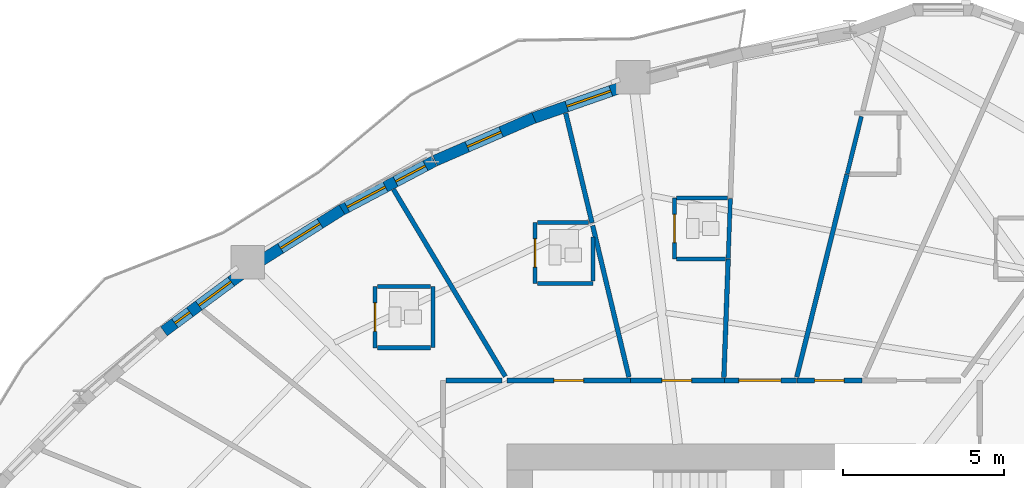
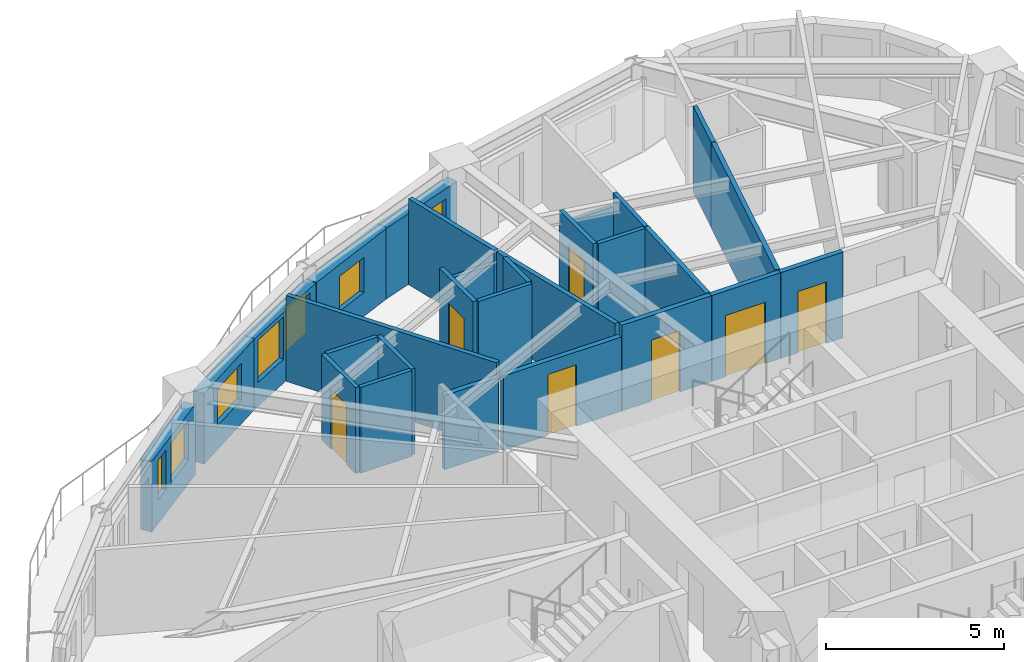
# One storey, part 9 of 16: 28 walls, 7 doors, 7 windows, 14 openings.
"""IFC4 building model written with IfcOpenShell, lengths in metres."""

from ifc_helpers import new_model, si_unit, direction, frame, frame_2d, origin, place, context, subcontext, project, spatial, rectangle, extrude, source, transform, mapped, material, layer, layer_set, type_object, element, fill, save


model = new_model("IFC4")

# Units and contexts
model_context = context("Model", 3, precision=1e-05, world=origin(), true_north=direction((0.0, 1.0)))
body_context = subcontext(model_context, "Body", "Model", "MODEL_VIEW")
ifc_project = project(units=[si_unit("LENGTHUNIT", "METRE"), si_unit("AREAUNIT", "SQUARE_METRE"), si_unit("VOLUMEUNIT", "CUBIC_METRE"), si_unit("PLANEANGLEUNIT", "RADIAN"), si_unit("MASSUNIT", "GRAM", prefix="KILO")], contexts=[model_context])

# Site, building, storey
site_placement = place(None, origin())
site = spatial("IfcSite", under=ifc_project, at=site_placement, CompositionType="ELEMENT")
building_placement = place(site_placement, origin())
building = spatial("IfcBuilding", under=site, at=building_placement, Name="Qafzar Sky-Pleat Residences", CompositionType="ELEMENT")
storey_placement = place(building_placement, frame((0.0, 0.0, 33.39990234375)))
storey = spatial("IfcBuildingStorey", under=building, at=storey_placement, Name="L09", CompositionType="ELEMENT", Elevation=33.39990234375)

# Wall, opening, door
ifc_material_1 = material(Name="Acoustic gypsum plasterboard partition", Category="gypsum")
ifc_layer_1 = layer(ifc_material_1, 0.159912109375)
ifc_layer_set_1 = layer_set([ifc_layer_1], Name="Acoustic gypsum plasterboard partition")
wall_type_1 = type_object("IfcWallType", Name="PART-COR-160", PredefinedType="PARTITIONING", material=ifc_layer_set_1)
wall_1_placement = place(storey_placement, frame((24.009033203125, 36.580078125, 0.0), z_axis=(0.0, 0.0, 1.0), x_axis=(1.0, 0.0, 0.0)))
wall_1 = element("IfcWall", 1, at=wall_1_placement, inside=storey, type_object=wall_type_1, Name="L09 Partition Wall PART-L09-PW-008", PredefinedType="PARTITIONING", context=body_context, shape_type="SweptSolid", body=[
    extrude(rectangle(XDim=3.822021484375, YDim=0.159912109375, at=frame_2d((1.9111328125, 0.0))), origin(), (0.0, 0.0, 1.0), 2.548095703125),
])
opening_1_placement = place(wall_1_placement, frame((1.451904296875, 0.0, 0.0)))
opening_1 = element("IfcOpeningElement", 2, at=opening_1_placement, cuts=wall_1, Name="Opening ID-04", PredefinedType="OPENING", context=body_context, shape_type="SweptSolid", body=[
    extrude(rectangle(XDim=0.919921875, YDim=2.10009765625, at=frame_2d((0.4599609375, 1.050048828125))), frame((0.0, 0.08984375, 0.0), z_axis=(0.0, -1.0, 0.0), x_axis=(1.0, 0.0, 0.0)), (0.0, 0.0, 1.0), 0.179931640625),
])
ifc_material_2 = material(Name="Timber-faced fire door", Category="wood")
door_type_1 = type_object("IfcDoorType", Name="DR-BED-920", OperationType="NOTDEFINED", PredefinedType="DOOR", material=ifc_material_2)
shared_shape_1 = source(origin(), body_context, "Body", "SweptSolid", [
    extrude(rectangle(XDim=0.919921875, YDim=2.10009765625, at=frame_2d((0.4599609375, 1.050048828125))), frame((0.0, 0.02490234375, 0.0), z_axis=(0.0, -1.0, 0.0), x_axis=(1.0, 0.0, 0.0)), (0.0, 0.0, 1.0), 0.050048828125),
])
door_1_placement = place(opening_1_placement, origin())
door_1 = element("IfcDoor", 3, at=door_1_placement, inside=storey, type_object=door_type_1, Name="L09 Co-Living Bedroom 2 Door", OperationType="SINGLE_SWING_LEFT", OverallHeight=2.10009765625, OverallWidth=0.919921875, PredefinedType="DOOR", context=body_context, shape_type="MappedRepresentation", body=[
    mapped(shared_shape_1, transform((0.0, 0.0, 0.0), x_axis=(1.0, 0.0, 0.0), y_axis=(0.0, 1.0, 0.0), z_axis=(0.0, 0.0, 1.0), scale=1.0)),
])
fill(opening_1, door_1)

wall_2_placement = place(storey_placement, frame((27.845947265625, 36.580078125, 0.0), z_axis=(0.0, 0.0, 1.0), x_axis=(1.0, 0.0, 0.0)))
wall_2 = element("IfcWall", 4, at=wall_2_placement, inside=storey, type_object=wall_type_1, Name="L09 Partition Wall PART-L09-PW-014", PredefinedType="PARTITIONING", context=body_context, shape_type="SweptSolid", body=[
    extrude(rectangle(XDim=2.903076171875, YDim=0.159912109375, at=frame_2d((1.45166015625, 0.0))), origin(), (0.0, 0.0, 1.0), 2.940185546875),
])
opening_2_placement = place(wall_2_placement, frame((0.968994140625, 0.0, 0.0)))
opening_2 = element("IfcOpeningElement", 5, at=opening_2_placement, cuts=wall_2, Name="Opening ID-04", PredefinedType="OPENING", context=body_context, shape_type="SweptSolid", body=[
    extrude(rectangle(XDim=0.919921875, YDim=2.10009765625, at=frame_2d((0.4599609375, 1.050048828125))), frame((0.0, 0.08984375, 0.0), z_axis=(0.0, -1.0, 0.0), x_axis=(1.0, 0.0, 0.0)), (0.0, 0.0, 1.0), 0.179931640625),
])
door_2_placement = place(opening_2_placement, origin())
door_2 = element("IfcDoor", 6, at=door_2_placement, inside=storey, type_object=door_type_1, Name="L09 Co-Living Bedroom 1 Door", OperationType="SINGLE_SWING_RIGHT", OverallHeight=2.10009765625, OverallWidth=0.919921875, PredefinedType="DOOR", context=body_context, shape_type="MappedRepresentation", body=[
    mapped(shared_shape_1, transform((0.0, 0.0, 0.0), x_axis=(1.0, 0.0, 0.0), y_axis=(0.0, 1.0, 0.0), z_axis=(0.0, 0.0, 1.0), scale=1.0)),
])
fill(opening_2, door_2)

wall_3_placement = place(storey_placement, frame((30.763916015625, 36.580078125, 0.0), z_axis=(0.0, 0.0, 1.0), x_axis=(1.0, 0.0, 0.0)))
wall_3 = element("IfcWall", 7, at=wall_3_placement, inside=storey, type_object=wall_type_1, Name="L09 Partition Wall PART-L09-PW-017", PredefinedType="PARTITIONING", context=body_context, shape_type="SweptSolid", body=[
    extrude(rectangle(XDim=2.22509765625, YDim=0.159912109375, at=frame_2d((1.112548828125, 0.0))), origin(), (0.0, 0.0, 1.0), 2.940185546875),
])
opening_3_placement = place(wall_3_placement, frame((0.43994140625, 0.0, 0.0)))
opening_3 = element("IfcOpeningElement", 8, at=opening_3_placement, cuts=wall_3, Name="Opening ID-05", PredefinedType="OPENING", context=body_context, shape_type="SweptSolid", body=[
    extrude(rectangle(XDim=1.300048828125, YDim=2.10009765625, at=frame_2d((0.64990234375, 1.050048828125))), frame((0.0, 0.08984375, 0.0), z_axis=(0.0, -1.0, 0.0), x_axis=(1.0, 0.0, 0.0)), (0.0, 0.0, 1.0), 0.179931640625),
])
door_type_2 = type_object("IfcDoorType", Name="DR-LNG-1300", OperationType="DOUBLE_DOOR_SINGLE_SWING", PredefinedType="DOOR", material=ifc_material_2)
shared_shape_2 = source(origin(), body_context, "Body", "SweptSolid", [
    extrude(rectangle(XDim=1.300048828125, YDim=2.10009765625, at=frame_2d((0.64990234375, 1.050048828125))), frame((0.0, 0.02490234375, 0.0), z_axis=(0.0, -1.0, 0.0), x_axis=(1.0, 0.0, 0.0)), (0.0, 0.0, 1.0), 0.050048828125),
])
door_3_placement = place(opening_3_placement, origin())
door_3 = element("IfcDoor", 9, at=door_3_placement, inside=storey, type_object=door_type_2, Name="L09 Communal Kitchen Door", OperationType="DOUBLE_DOOR_SINGLE_SWING", OverallHeight=2.10009765625, OverallWidth=1.300048828125, PredefinedType="DOOR", context=body_context, shape_type="MappedRepresentation", body=[
    mapped(shared_shape_2, transform((0.0, 0.0, 0.0), x_axis=(1.0, 0.0, 0.0), y_axis=(0.0, 1.0, 0.0), z_axis=(0.0, 0.0, 1.0), scale=1.0)),
])
fill(opening_3, door_3)

wall_4_placement = place(storey_placement, frame((33.00390625, 36.580078125, 0.0), z_axis=(0.0, 0.0, 1.0), x_axis=(1.0, 0.0, 0.0)))
wall_4 = element("IfcWall", 10, at=wall_4_placement, inside=storey, type_object=wall_type_1, Name="L09 Partition Wall PART-L09-PW-018", PredefinedType="PARTITIONING", context=body_context, shape_type="SweptSolid", body=[
    extrude(rectangle(XDim=2.01708984375, YDim=0.159912109375, at=frame_2d((1.008544921875, 0.0))), origin(), (0.0, 0.0, 1.0), 2.940185546875),
])
opening_4_placement = place(wall_4_placement, frame((0.549072265625, 0.0, 0.0)))
opening_4 = element("IfcOpeningElement", 11, at=opening_4_placement, cuts=wall_4, Name="Opening ID-04", PredefinedType="OPENING", context=body_context, shape_type="SweptSolid", body=[
    extrude(rectangle(XDim=0.919921875, YDim=2.10009765625, at=frame_2d((0.4599609375, 1.050048828125))), frame((0.0, 0.08984375, 0.0), z_axis=(0.0, -1.0, 0.0), x_axis=(1.0, 0.0, 0.0)), (0.0, 0.0, 1.0), 0.179931640625),
])
door_4_placement = place(opening_4_placement, origin())
door_4 = element("IfcDoor", 12, at=door_4_placement, inside=storey, type_object=door_type_1, Name="L09 Co-Living Bedroom 12 Door", OperationType="SINGLE_SWING_RIGHT", OverallHeight=2.10009765625, OverallWidth=0.919921875, PredefinedType="DOOR", context=body_context, shape_type="MappedRepresentation", body=[
    mapped(shared_shape_1, transform((0.0, 0.0, 0.0), x_axis=(1.0, 0.0, 0.0), y_axis=(0.0, 1.0, 0.0), z_axis=(0.0, 0.0, 1.0), scale=1.0)),
])
fill(opening_4, door_4)

# Walls
wall_5_placement = place(storey_placement, frame((22.10791015625, 36.580078125, 0.0), z_axis=(0.0, 0.0, 1.0), x_axis=(1.0, 0.0, 0.0)))
element("IfcWall", 13, at=wall_5_placement, inside=storey, type_object=wall_type_1, Name="L09 Partition Wall PART-L09-PW-060", PredefinedType="PARTITIONING", context=body_context, shape_type="SweptSolid", body=[
    extrude(rectangle(XDim=1.745849609375, YDim=0.159912109375, at=frame_2d((0.873046875, 0.0))), origin(), (0.0, 0.0, 1.0), 2.548095703125),
])
ifc_layer_2 = layer(ifc_material_1, 0.14501953125)
ifc_layer_set_2 = layer_set([ifc_layer_2], Name="Acoustic gypsum plasterboard partition")
wall_type_2 = type_object("IfcWallType", Name="PART-UNIT-145", PredefinedType="PARTITIONING", material=ifc_layer_set_2)
wall_6_placement = place(storey_placement, frame((20.481201171875, 42.510498046875, 0.0), z_axis=(0.0, 0.0, 1.0), x_axis=(0.513067331262, -0.858348363773, 0.0)))
element("IfcWall", 14, at=wall_6_placement, inside=storey, type_object=wall_type_2, Name="L09 Partition Wall PART-L09-PW-046", PredefinedType="PARTITIONING", context=body_context, shape_type="SweptSolid", body=[
    extrude(rectangle(XDim=6.7646484375, YDim=0.14501953125, at=frame_2d((3.38232421875, 0.0))), origin(), (0.0, 0.0, 1.0), 2.940185546875),
])
wall_7_placement = place(storey_placement, frame((33.0, 36.685302734375, 0.0), z_axis=(0.0, 0.0, 1.0), x_axis=(0.240736846637, 0.970590423748, 0.0)))
element("IfcWall", 15, at=wall_7_placement, inside=storey, type_object=wall_type_2, Name="L09 Partition Wall PART-L09-PW-047", PredefinedType="PARTITIONING", context=body_context, shape_type="SweptSolid", body=[
    extrude(rectangle(XDim=6.484375, YDim=0.14501953125, at=frame_2d((3.2421875, 0.0))), origin(), (0.0, 0.0, 1.0), 2.940185546875),
])
wall_8_placement = place(storey_placement, frame((26.6640625, 41.387939453125, 0.0), z_axis=(0.0, 0.0, 1.0), x_axis=(0.233021630241, -0.972471552201, 0.0)))
element("IfcWall", 16, at=wall_8_placement, inside=storey, type_object=wall_type_2, Name="L09 Partition Wall PART-L09-PW-051", PredefinedType="PARTITIONING", context=body_context, shape_type="SweptSolid", body=[
    extrude(rectangle(XDim=4.836181640625, YDim=0.14501953125, at=frame_2d((2.41796875, 0.0))), origin(), (0.0, 0.0, 1.0), 2.940185546875),
])
wall_9_placement = place(storey_placement, frame((30.7373046875, 36.670654296875, 0.0), z_axis=(0.0, 0.0, 1.0), x_axis=(0.036368539535, 0.999338445839, 0.0)))
element("IfcWall", 17, at=wall_9_placement, inside=storey, type_object=wall_type_2, Name="L09 Partition Wall PART-L09-PW-054", PredefinedType="PARTITIONING", context=body_context, shape_type="SweptSolid", body=[
    extrude(rectangle(XDim=3.6787109375, YDim=0.14501953125, at=frame_2d((1.83935546875, 0.0))), origin(), (0.0, 0.0, 1.0), 2.940185546875),
])
wall_10_placement = place(storey_placement, frame((25.828857421875, 44.87548828125, 0.0), z_axis=(0.0, 0.0, 1.0), x_axis=(0.232921769711, -0.972495475154, 0.0)))
element("IfcWall", 18, at=wall_10_placement, inside=storey, type_object=wall_type_2, Name="L09 Partition Wall PART-L09-PW-055", PredefinedType="PARTITIONING", context=body_context, shape_type="SweptSolid", body=[
    extrude(rectangle(XDim=3.499755859375, YDim=0.14501953125, at=frame_2d((1.75, 0.0))), origin(), (0.0, 0.0, 1.0), 2.940185546875),
])

# Wall, opening, door
ifc_material_3 = material(Name="Moisture-resistant gypsum partition", Category="gypsum")
ifc_layer_3 = layer(ifc_material_3, 0.1298828125)
ifc_layer_set_3 = layer_set([ifc_layer_3], Name="Moisture-resistant gypsum partition")
wall_type_3 = type_object("IfcWallType", Name="PART-WET-130", PredefinedType="PARTITIONING", material=ifc_layer_set_3)
wall_11_placement = place(storey_placement, frame((29.200927734375, 42.2470703125, 0.0), z_axis=(0.0, 0.0, 1.0), x_axis=(0.0, -1.0, 0.0)))
wall_11 = element("IfcWall", 19, at=wall_11_placement, inside=storey, type_object=wall_type_3, Name="L09 Partition Wall PART-L09-PW-023", PredefinedType="PARTITIONING", context=body_context, shape_type="SweptSolid", body=[
    extrude(rectangle(XDim=1.900146484375, YDim=0.1298828125, at=frame_2d((0.9501953125, 0.0))), origin(), (0.0, 0.0, 1.0), 2.940185546875),
])
opening_5_placement = place(wall_11_placement, frame((0.510009765625, 0.0, 0.0)))
opening_5 = element("IfcOpeningElement", 20, at=opening_5_placement, cuts=wall_11, Name="Opening ID-07", PredefinedType="OPENING", context=body_context, shape_type="SweptSolid", body=[
    extrude(rectangle(XDim=0.8798828125, YDim=2.050048828125, at=frame_2d((0.43994140625, 1.02490234375))), frame((0.0, 0.074951171875, 0.0), z_axis=(0.0, -1.0, 0.0), x_axis=(1.0, 0.0, 0.0)), (0.0, 0.0, 1.0), 0.14990234375),
])
door_type_3 = type_object("IfcDoorType", Name="DR-WET-880", OperationType="NOTDEFINED", PredefinedType="DOOR", material=ifc_material_2)
shared_shape_3 = source(origin(), body_context, "Body", "SweptSolid", [
    extrude(rectangle(XDim=0.8798828125, YDim=2.050048828125, at=frame_2d((0.43994140625, 1.02490234375))), frame((0.0, 0.02490234375, 0.0), z_axis=(0.0, -1.0, 0.0), x_axis=(1.0, 0.0, 0.0)), (0.0, 0.0, 1.0), 0.050048828125),
])
door_5_placement = place(opening_5_placement, origin())
door_5 = element("IfcDoor", 21, at=door_5_placement, inside=storey, type_object=door_type_3, Name="L09 En-suite Bathroom 1 Door", OperationType="SINGLE_SWING_LEFT", OverallHeight=2.050048828125, OverallWidth=0.8798828125, PredefinedType="DOOR", context=body_context, shape_type="MappedRepresentation", body=[
    mapped(shared_shape_3, transform((0.0, 0.0, 0.0), x_axis=(1.0, 0.0, 0.0), y_axis=(0.0, 1.0, 0.0), z_axis=(0.0, 0.0, 1.0), scale=1.0)),
])
fill(opening_5, door_5)

wall_12_placement = place(storey_placement, frame((24.87890625, 41.487060546875, 0.0), z_axis=(0.0, 0.0, 1.0), x_axis=(0.0, -1.0, 0.0)))
wall_12 = element("IfcWall", 22, at=wall_12_placement, inside=storey, type_object=wall_type_3, Name="L09 Partition Wall PART-L09-PW-024", PredefinedType="PARTITIONING", context=body_context, shape_type="SweptSolid", body=[
    extrude(rectangle(XDim=1.900146484375, YDim=0.1298828125, at=frame_2d((0.9501953125, 0.0))), origin(), (0.0, 0.0, 1.0), 2.940185546875),
])
opening_6_placement = place(wall_12_placement, frame((0.510009765625, 0.0, 0.0)))
opening_6 = element("IfcOpeningElement", 23, at=opening_6_placement, cuts=wall_12, Name="Opening ID-07", PredefinedType="OPENING", context=body_context, shape_type="SweptSolid", body=[
    extrude(rectangle(XDim=0.8798828125, YDim=2.050048828125, at=frame_2d((0.43994140625, 1.02490234375))), frame((0.0, 0.074951171875, 0.0), z_axis=(0.0, -1.0, 0.0), x_axis=(1.0, 0.0, 0.0)), (0.0, 0.0, 1.0), 0.14990234375),
])
door_6_placement = place(opening_6_placement, origin())
door_6 = element("IfcDoor", 24, at=door_6_placement, inside=storey, type_object=door_type_3, Name="L09 En-suite Bathroom 2 Door", OperationType="SINGLE_SWING_RIGHT", OverallHeight=2.050048828125, OverallWidth=0.8798828125, PredefinedType="DOOR", context=body_context, shape_type="MappedRepresentation", body=[
    mapped(shared_shape_3, transform((0.0, 0.0, 0.0), x_axis=(1.0, 0.0, 0.0), y_axis=(0.0, 1.0, 0.0), z_axis=(0.0, 0.0, 1.0), scale=1.0)),
])
fill(opening_6, door_6)

wall_13_placement = place(storey_placement, frame((19.909912109375, 39.4951171875, 0.0), z_axis=(0.0, 0.0, 1.0), x_axis=(0.0, -1.0, 0.0)))
wall_13 = element("IfcWall", 25, at=wall_13_placement, inside=storey, type_object=wall_type_3, Name="L09 Partition Wall PART-L09-PW-025", PredefinedType="PARTITIONING", context=body_context, shape_type="SweptSolid", body=[
    extrude(rectangle(XDim=1.900146484375, YDim=0.1298828125, at=frame_2d((0.9501953125, 0.0))), origin(), (0.0, 0.0, 1.0), 2.940185546875),
])
opening_7_placement = place(wall_13_placement, frame((0.510009765625, 0.0, 0.0)))
opening_7 = element("IfcOpeningElement", 26, at=opening_7_placement, cuts=wall_13, Name="Opening ID-07", PredefinedType="OPENING", context=body_context, shape_type="SweptSolid", body=[
    extrude(rectangle(XDim=0.8798828125, YDim=2.050048828125, at=frame_2d((0.43994140625, 1.02490234375))), frame((0.0, 0.074951171875, 0.0), z_axis=(0.0, -1.0, 0.0), x_axis=(1.0, 0.0, 0.0)), (0.0, 0.0, 1.0), 0.14990234375),
])
door_7_placement = place(opening_7_placement, origin())
door_7 = element("IfcDoor", 27, at=door_7_placement, inside=storey, type_object=door_type_3, Name="L09 En-suite Bathroom 3 Door", OperationType="SINGLE_SWING_LEFT", OverallHeight=2.050048828125, OverallWidth=0.8798828125, PredefinedType="DOOR", context=body_context, shape_type="MappedRepresentation", body=[
    mapped(shared_shape_3, transform((0.0, 0.0, 0.0), x_axis=(1.0, 0.0, 0.0), y_axis=(0.0, 1.0, 0.0), z_axis=(0.0, 0.0, 1.0), scale=1.0)),
])
fill(opening_7, door_7)

# Walls
wall_14_placement = place(storey_placement, frame((34.564697265625, 42.99365234375, 0.0), z_axis=(0.0, 0.0, 1.0), x_axis=(0.240658084914, 0.970609955732, 0.0)))
element("IfcWall", 28, at=wall_14_placement, inside=storey, type_object=wall_type_3, Name="L09 Partition Wall PART-L09-PW-061", PredefinedType="PARTITIONING", context=body_context, shape_type="SweptSolid", body=[
    extrude(rectangle(XDim=1.836181640625, YDim=0.1298828125, at=frame_2d((0.91796875, 0.0))), origin(), (0.0, 0.0, 1.0), 2.940185546875),
])
wall_15_placement = place(storey_placement, frame((21.7099609375, 37.594970703125, 0.0), z_axis=(0.0, 0.0, 1.0), x_axis=(0.0, 1.0, 0.0)))
element("IfcWall", 29, at=wall_15_placement, inside=storey, type_object=wall_type_3, Name="L09 Partition Wall PART-L09-PW-063", PredefinedType="PARTITIONING", context=body_context, shape_type="SweptSolid", body=[
    extrude(rectangle(XDim=1.900146484375, YDim=0.1298828125, at=frame_2d((0.9501953125, 0.0))), origin(), (0.0, 0.0, 1.0), 2.940185546875),
])
wall_16_placement = place(storey_placement, frame((30.87158203125, 40.362060546875, 0.0), z_axis=(0.0, 0.0, 1.0), x_axis=(0.036273279858, 0.999341908042, 0.0)))
element("IfcWall", 30, at=wall_16_placement, inside=storey, type_object=wall_type_3, Name="L09 Partition Wall PART-L09-PW-066", PredefinedType="PARTITIONING", context=body_context, shape_type="SweptSolid", body=[
    extrude(rectangle(XDim=1.87109375, YDim=0.1298828125, at=frame_2d((0.935546875, 0.0))), origin(), (0.0, 0.0, 1.0), 2.940185546875),
])
for number, where, z_axis, x_axis, name in (
    (31, (19.98291015625, 39.4951171875, 0.0), (0.0, 0.0, 1.0), (1.0, 0.0, 0.0), "L09 Partition Wall PART-L09-PW-070"),
    (32, (19.98291015625, 37.594970703125, 0.0), (0.0, 0.0, 1.0), (1.0, 0.0, 0.0), "L09 Partition Wall PART-L09-PW-071"),
):
    element("IfcWall", number, at=place(storey_placement, frame(where, z_axis=z_axis, x_axis=x_axis)), inside=storey, type_object=wall_type_3, Name=name, PredefinedType="PARTITIONING", context=body_context, shape_type="SweptSolid", body=[
        extrude(rectangle(XDim=1.654052734375, YDim=0.1298828125, at=frame_2d((0.8271484375, 0.0))), origin(), (0.0, 0.0, 1.0), 2.940185546875),
    ])
wall_17_placement = place(storey_placement, frame((24.951904296875, 39.5869140625, 0.0), z_axis=(0.0, 0.0, 1.0), x_axis=(1.0, 0.0, 0.0)))
element("IfcWall", 33, at=wall_17_placement, inside=storey, type_object=wall_type_3, Name="L09 Partition Wall PART-L09-PW-074", PredefinedType="PARTITIONING", context=body_context, shape_type="SweptSolid", body=[
    extrude(rectangle(XDim=1.72705078125, YDim=0.1298828125, at=frame_2d((0.863525390625, 0.0))), origin(), (0.0, 0.0, 1.0), 2.940185546875),
])
wall_18_placement = place(storey_placement, frame((24.951904296875, 41.487060546875, 0.0), z_axis=(0.0, 0.0, 1.0), x_axis=(1.0, 0.0, 0.0)))
element("IfcWall", 34, at=wall_18_placement, inside=storey, type_object=wall_type_3, Name="L09 Partition Wall PART-L09-PW-081", PredefinedType="PARTITIONING", context=body_context, shape_type="SweptSolid", body=[
    extrude(rectangle(XDim=1.590087890625, YDim=0.1298828125, at=frame_2d((0.794921875, 0.0))), origin(), (0.0, 0.0, 1.0), 2.508056640625),
])
wall_19_placement = place(storey_placement, frame((29.27392578125, 42.2470703125, 0.0), z_axis=(0.0, 0.0, 1.0), x_axis=(1.0, 0.0, 0.0)))
element("IfcWall", 35, at=wall_19_placement, inside=storey, type_object=wall_type_3, Name="L09 Partition Wall PART-L09-PW-082", PredefinedType="PARTITIONING", context=body_context, shape_type="SweptSolid", body=[
    extrude(rectangle(XDim=1.583251953125, YDim=0.1298828125, at=frame_2d((0.79150390625, 0.0))), origin(), (0.0, 0.0, 1.0), 2.508056640625),
])
wall_20_placement = place(storey_placement, frame((26.678955078125, 39.659912109375, 0.0), z_axis=(0.0, 0.0, 1.0), x_axis=(0.0, 1.0, 0.0)))
element("IfcWall", 36, at=wall_20_placement, inside=storey, type_object=wall_type_3, Name="L09 Partition Wall PART-L09-PW-083", PredefinedType="PARTITIONING", context=body_context, shape_type="SweptSolid", body=[
    extrude(rectangle(XDim=1.380126953125, YDim=0.1298828125, at=frame_2d((0.68994140625, 0.0))), origin(), (0.0, 0.0, 1.0), 2.940185546875),
])
wall_21_placement = place(storey_placement, frame((29.27392578125, 40.346923828125, 0.0), z_axis=(0.0, 0.0, 1.0), x_axis=(1.0, 0.0, 0.0)))
element("IfcWall", 37, at=wall_21_placement, inside=storey, type_object=wall_type_3, Name="L09 Partition Wall PART-L09-PW-084", PredefinedType="PARTITIONING", context=body_context, shape_type="SweptSolid", body=[
    extrude(rectangle(XDim=1.51416015625, YDim=0.1298828125, at=frame_2d((0.757080078125, 0.0))), origin(), (0.0, 0.0, 1.0), 2.940185546875),
])

# Wall, opening, window
ifc_material_4 = material(Name="Precast concrete C40/50 with honed Riyadh limestone", Category="concrete")
ifc_layer_4 = layer(ifc_material_4, 0.35009765625)
ifc_layer_set_4 = layer_set([ifc_layer_4], Name="Precast concrete C40/50 with honed Riyadh limestone")
wall_type_4 = type_object("IfcWallType", Name="WALL-EXT-350", PredefinedType="SOLIDWALL", material=ifc_layer_set_4)
wall_22_placement = place(storey_placement, frame((27.687255859375, 45.725830078125, 0.0), z_axis=(0.0, 0.0, 1.0), x_axis=(-0.9441205041, -0.329600475936, 0.0)))
wall_22 = element("IfcWall", 38, at=wall_22_placement, inside=storey, type_object=wall_type_4, Name="L09 Limestone Facade Wall 41", PredefinedType="SOLIDWALL", context=body_context, shape_type="SweptSolid", body=[
    extrude(rectangle(XDim=3.103515625, YDim=0.35009765625, at=frame_2d((1.5517578125, 0.0))), origin(), (0.0, 0.0, 1.0), 2.420166015625),
])
opening_8_placement = place(wall_22_placement, frame((0.486083984375, 0.0, 0.820068359375)))
opening_8 = element("IfcOpeningElement", 39, at=opening_8_placement, cuts=wall_22, Name="Opening WN-15", PredefinedType="OPENING", context=body_context, shape_type="SweptSolid", body=[
    extrude(rectangle(XDim=1.449951171875, YDim=1.25, at=frame_2d((0.72509765625, 0.625))), frame((0.0, 0.18505859375, 0.0), z_axis=(0.0, -1.0, 0.0), x_axis=(1.0, 0.0, 0.0)), (0.0, 0.0, 1.0), 0.3701171875),
])
ifc_material_5 = material(Name="Solar-control low-E glass in bronze aluminium frame", Category="glass")
window_type_1 = type_object("IfcWindowType", Name="WIN-15", PartitioningType="SINGLE_PANEL", PredefinedType="WINDOW", material=ifc_material_5)
shared_shape_4 = source(origin(), body_context, "Body", "SweptSolid", [
    extrude(rectangle(XDim=1.449951171875, YDim=1.25, at=frame_2d((0.72509765625, 0.625))), frame((0.0, 0.030029296875, 0.0), z_axis=(0.0, -1.0, 0.0), x_axis=(1.0, 0.0, 0.0)), (0.0, 0.0, 1.0), 0.06005859375),
])
window_1_placement = place(opening_8_placement, origin())
window_1 = element("IfcWindow", 40, at=window_1_placement, inside=storey, type_object=window_type_1, Name="L09 Punched Facade Window 41", OverallHeight=1.25, OverallWidth=1.449951171875, PartitioningType="SINGLE_PANEL", PredefinedType="WINDOW", context=body_context, shape_type="MappedRepresentation", body=[
    mapped(shared_shape_4, transform((0.0, 0.0, 0.0), x_axis=(1.0, 0.0, 0.0), y_axis=(0.0, 1.0, 0.0), z_axis=(0.0, 0.0, 1.0), scale=1.0)),
])
fill(opening_8, window_1)

wall_23_placement = place(storey_placement, frame((24.83984375, 44.7353515625, 0.0), z_axis=(0.0, 0.0, 1.0), x_axis=(-0.917090935142, -0.398678086532, 0.0)))
wall_23 = element("IfcWall", 41, at=wall_23_placement, inside=storey, type_object=wall_type_4, Name="L09 Limestone Facade Wall 42", PredefinedType="SOLIDWALL", context=body_context, shape_type="SweptSolid", body=[
    extrude(rectangle(XDim=3.345947265625, YDim=0.35009765625, at=frame_2d((1.6728515625, 0.0))), origin(), (0.0, 0.0, 1.0), 2.420166015625),
])
opening_9_placement = place(wall_23_placement, frame((1.10791015625, 0.0, 0.820068359375)))
opening_9 = element("IfcOpeningElement", 42, at=opening_9_placement, cuts=wall_23, Name="Opening WN-16", PredefinedType="OPENING", context=body_context, shape_type="SweptSolid", body=[
    extrude(rectangle(XDim=1.14990234375, YDim=1.199951171875, at=frame_2d((0.574951171875, 0.60009765625))), frame((0.0, 0.18505859375, 0.0), z_axis=(0.0, -1.0, 0.0), x_axis=(1.0, 0.0, 0.0)), (0.0, 0.0, 1.0), 0.3701171875),
])
window_type_2 = type_object("IfcWindowType", Name="WIN-16", PartitioningType="SINGLE_PANEL", PredefinedType="WINDOW", material=ifc_material_5)
shared_shape_5 = source(origin(), body_context, "Body", "SweptSolid", [
    extrude(rectangle(XDim=1.14990234375, YDim=1.199951171875, at=frame_2d((0.574951171875, 0.60009765625))), frame((0.0, 0.030029296875, 0.0), z_axis=(0.0, -1.0, 0.0), x_axis=(1.0, 0.0, 0.0)), (0.0, 0.0, 1.0), 0.06005859375),
])
window_2_placement = place(opening_9_placement, origin())
window_2 = element("IfcWindow", 43, at=window_2_placement, inside=storey, type_object=window_type_2, Name="L09 Punched Facade Window 42", OverallHeight=1.199951171875, OverallWidth=1.14990234375, PartitioningType="SINGLE_PANEL", PredefinedType="WINDOW", context=body_context, shape_type="MappedRepresentation", body=[
    mapped(shared_shape_5, transform((0.0, 0.0, 0.0), x_axis=(1.0, 0.0, 0.0), y_axis=(0.0, 1.0, 0.0), z_axis=(0.0, 0.0, 1.0), scale=1.0)),
])
fill(opening_9, window_2)

# Wall, openings, windows
wall_24_placement = place(storey_placement, frame((21.747314453125, 43.389892578125, 0.0), z_axis=(0.0, 0.0, 1.0), x_axis=(-0.88437802144, -0.46677137358, 0.0)))
wall_24 = element("IfcWall", 44, at=wall_24_placement, inside=storey, type_object=wall_type_4, Name="L09 Limestone Facade Wall 43", PredefinedType="SOLIDWALL", context=body_context, shape_type="SweptSolid", body=[
    extrude(rectangle(XDim=3.3271484375, YDim=0.35009765625, at=frame_2d((1.66357421875, 0.0))), origin(), (0.0, 0.0, 1.0), 2.420166015625),
])
opening_10_placement = place(wall_24_placement, frame((0.310546875, 0.0, 0.820068359375)))
opening_10 = element("IfcOpeningElement", 45, at=opening_10_placement, cuts=wall_24, Name="Opening WN-06", PredefinedType="OPENING", context=body_context, shape_type="SweptSolid", body=[
    extrude(rectangle(XDim=1.050048828125, YDim=1.449951171875, at=frame_2d((0.52490234375, 0.72509765625))), frame((0.0, 0.18505859375, 0.0), z_axis=(0.0, -1.0, 0.0), x_axis=(1.0, 0.0, 0.0)), (0.0, 0.0, 1.0), 0.3701171875),
])
opening_11_placement = place(wall_24_placement, frame((1.714111328125, 0.0, 0.820068359375)))
opening_11 = element("IfcOpeningElement", 46, at=opening_11_placement, cuts=wall_24, Name="Opening WN-04", PredefinedType="OPENING", context=body_context, shape_type="SweptSolid", body=[
    extrude(rectangle(XDim=1.35009765625, YDim=1.449951171875, at=frame_2d((0.675048828125, 0.72509765625))), frame((0.0, 0.18505859375, 0.0), z_axis=(0.0, -1.0, 0.0), x_axis=(1.0, 0.0, 0.0)), (0.0, 0.0, 1.0), 0.3701171875),
])
window_type_3 = type_object("IfcWindowType", Name="WIN-06", PartitioningType="SINGLE_PANEL", PredefinedType="WINDOW", material=ifc_material_5)
shared_shape_6 = source(origin(), body_context, "Body", "SweptSolid", [
    extrude(rectangle(XDim=1.050048828125, YDim=1.449951171875, at=frame_2d((0.52490234375, 0.72509765625))), frame((0.0, 0.030029296875, 0.0), z_axis=(0.0, -1.0, 0.0), x_axis=(1.0, 0.0, 0.0)), (0.0, 0.0, 1.0), 0.06005859375),
])
window_3_placement = place(opening_10_placement, origin())
window_3 = element("IfcWindow", 47, at=window_3_placement, inside=storey, type_object=window_type_3, Name="L09 Punched Facade Window 43", OverallHeight=1.449951171875, OverallWidth=1.050048828125, PartitioningType="SINGLE_PANEL", PredefinedType="WINDOW", context=body_context, shape_type="MappedRepresentation", body=[
    mapped(shared_shape_6, transform((0.0, 0.0, 0.0), x_axis=(1.0, 0.0, 0.0), y_axis=(0.0, 1.0, 0.0), z_axis=(0.0, 0.0, 1.0), scale=1.0)),
])
fill(opening_10, window_3)
window_type_4 = type_object("IfcWindowType", Name="WIN-04", PartitioningType="SINGLE_PANEL", PredefinedType="WINDOW", material=ifc_material_5)
shared_shape_7 = source(origin(), body_context, "Body", "SweptSolid", [
    extrude(rectangle(XDim=1.35009765625, YDim=1.449951171875, at=frame_2d((0.675048828125, 0.72509765625))), frame((0.0, 0.030029296875, 0.0), z_axis=(0.0, -1.0, 0.0), x_axis=(1.0, 0.0, 0.0)), (0.0, 0.0, 1.0), 0.06005859375),
])
window_4_placement = place(opening_11_placement, origin())
window_4 = element("IfcWindow", 48, at=window_4_placement, inside=storey, type_object=window_type_4, Name="L09 Punched Facade Window 43-2", OverallHeight=1.449951171875, OverallWidth=1.35009765625, PartitioningType="SINGLE_PANEL", PredefinedType="WINDOW", context=body_context, shape_type="MappedRepresentation", body=[
    mapped(shared_shape_7, transform((0.0, 0.0, 0.0), x_axis=(1.0, 0.0, 0.0), y_axis=(0.0, 1.0, 0.0), z_axis=(0.0, 0.0, 1.0), scale=1.0)),
])
fill(opening_11, window_4)

# Wall, opening, window
wall_25_placement = place(storey_placement, frame((18.88232421875, 41.881591796875, 0.0), z_axis=(0.0, 0.0, 1.0), x_axis=(-0.846428134238, -0.53250297048, 0.0)))
wall_25 = element("IfcWall", 49, at=wall_25_placement, inside=storey, type_object=wall_type_4, Name="L09 Limestone Facade Wall 44", PredefinedType="SOLIDWALL", context=body_context, shape_type="SweptSolid", body=[
    extrude(rectangle(XDim=3.047119140625, YDim=0.35009765625, at=frame_2d((1.5234375, 0.0))), origin(), (0.0, 0.0, 1.0), 2.420166015625),
])
opening_12_placement = place(wall_25_placement, frame((0.803466796875, 0.0, 0.820068359375)))
opening_12 = element("IfcOpeningElement", 50, at=opening_12_placement, cuts=wall_25, Name="Opening WN-15", PredefinedType="OPENING", context=body_context, shape_type="SweptSolid", body=[
    extrude(rectangle(XDim=1.449951171875, YDim=1.25, at=frame_2d((0.72509765625, 0.625))), frame((0.0, 0.18505859375, 0.0), z_axis=(0.0, -1.0, 0.0), x_axis=(1.0, 0.0, 0.0)), (0.0, 0.0, 1.0), 0.3701171875),
])
window_5_placement = place(opening_12_placement, origin())
window_5 = element("IfcWindow", 51, at=window_5_placement, inside=storey, type_object=window_type_1, Name="L09 Punched Facade Window 44", OverallHeight=1.25, OverallWidth=1.449951171875, PartitioningType="SINGLE_PANEL", PredefinedType="WINDOW", context=body_context, shape_type="MappedRepresentation", body=[
    mapped(shared_shape_4, transform((0.0, 0.0, 0.0), x_axis=(1.0, 0.0, 0.0), y_axis=(0.0, 1.0, 0.0), z_axis=(0.0, 0.0, 1.0), scale=1.0)),
])
fill(opening_12, window_5)

# Wall, openings, windows
wall_26_placement = place(storey_placement, frame((15.819091796875, 39.92822265625, 0.0), z_axis=(0.0, 0.0, 1.0), x_axis=(-0.803825144674, -0.594865645999, 0.0)))
wall_26 = element("IfcWall", 52, at=wall_26_placement, inside=storey, type_object=wall_type_4, Name="L09 Limestone Facade Wall 45", PredefinedType="SOLIDWALL", context=body_context, shape_type="SweptSolid", body=[
    extrude(rectangle(XDim=3.065673828125, YDim=0.35009765625, at=frame_2d((1.53271484375, 0.0))), origin(), (0.0, 0.0, 1.0), 2.420166015625),
])
opening_13_placement = place(wall_26_placement, frame((0.46875, 0.0, 0.820068359375)))
opening_13 = element("IfcOpeningElement", 53, at=opening_13_placement, cuts=wall_26, Name="Opening WN-11", PredefinedType="OPENING", context=body_context, shape_type="SweptSolid", body=[
    extrude(rectangle(XDim=1.25, YDim=1.35009765625, at=frame_2d((0.625, 0.675048828125))), frame((0.0, 0.18505859375, 0.0), z_axis=(0.0, -1.0, 0.0), x_axis=(1.0, 0.0, 0.0)), (0.0, 0.0, 1.0), 0.3701171875),
])
opening_14_placement = place(wall_26_placement, frame((2.0615234375, 0.0, 0.820068359375)))
opening_14 = element("IfcOpeningElement", 54, at=opening_14_placement, cuts=wall_26, Name="Opening WN-17", PredefinedType="OPENING", context=body_context, shape_type="SweptSolid", body=[
    extrude(rectangle(XDim=0.580078125, YDim=1.35009765625, at=frame_2d((0.2900390625, 0.675048828125))), frame((0.0, 0.18505859375, 0.0), z_axis=(0.0, -1.0, 0.0), x_axis=(1.0, 0.0, 0.0)), (0.0, 0.0, 1.0), 0.3701171875),
])
window_type_5 = type_object("IfcWindowType", Name="WIN-17", PartitioningType="SINGLE_PANEL", PredefinedType="WINDOW", material=ifc_material_5)
shared_shape_8 = source(origin(), body_context, "Body", "SweptSolid", [
    extrude(rectangle(XDim=0.580078125, YDim=1.35009765625, at=frame_2d((0.2900390625, 0.675048828125))), frame((0.0, 0.030029296875, 0.0), z_axis=(0.0, -1.0, 0.0), x_axis=(1.0, 0.0, 0.0)), (0.0, 0.0, 1.0), 0.06005859375),
])
window_6_placement = place(opening_14_placement, origin())
window_6 = element("IfcWindow", 55, at=window_6_placement, inside=storey, type_object=window_type_5, Name="L09 Punched Facade Window 45-2", OverallHeight=1.35009765625, OverallWidth=0.580078125, PartitioningType="SINGLE_PANEL", PredefinedType="WINDOW", context=body_context, shape_type="MappedRepresentation", body=[
    mapped(shared_shape_8, transform((0.0, 0.0, 0.0), x_axis=(1.0, 0.0, 0.0), y_axis=(0.0, 1.0, 0.0), z_axis=(0.0, 0.0, 1.0), scale=1.0)),
])
fill(opening_14, window_6)
window_type_6 = type_object("IfcWindowType", Name="WIN-11", PartitioningType="SINGLE_PANEL", PredefinedType="WINDOW", material=ifc_material_5)
shared_shape_9 = source(origin(), body_context, "Body", "SweptSolid", [
    extrude(rectangle(XDim=1.25, YDim=1.35009765625, at=frame_2d((0.625, 0.675048828125))), frame((0.0, 0.030029296875, 0.0), z_axis=(0.0, -1.0, 0.0), x_axis=(1.0, 0.0, 0.0)), (0.0, 0.0, 1.0), 0.06005859375),
])
window_7_placement = place(opening_13_placement, origin())
window_7 = element("IfcWindow", 56, at=window_7_placement, inside=storey, type_object=window_type_6, Name="L09 Punched Facade Window 45", OverallHeight=1.35009765625, OverallWidth=1.25, PartitioningType="SINGLE_PANEL", PredefinedType="WINDOW", context=body_context, shape_type="MappedRepresentation", body=[
    mapped(shared_shape_9, transform((0.0, 0.0, 0.0), x_axis=(1.0, 0.0, 0.0), y_axis=(0.0, 1.0, 0.0), z_axis=(0.0, 0.0, 1.0), scale=1.0)),
])
fill(opening_13, window_7)

save(model, "model.ifc")
